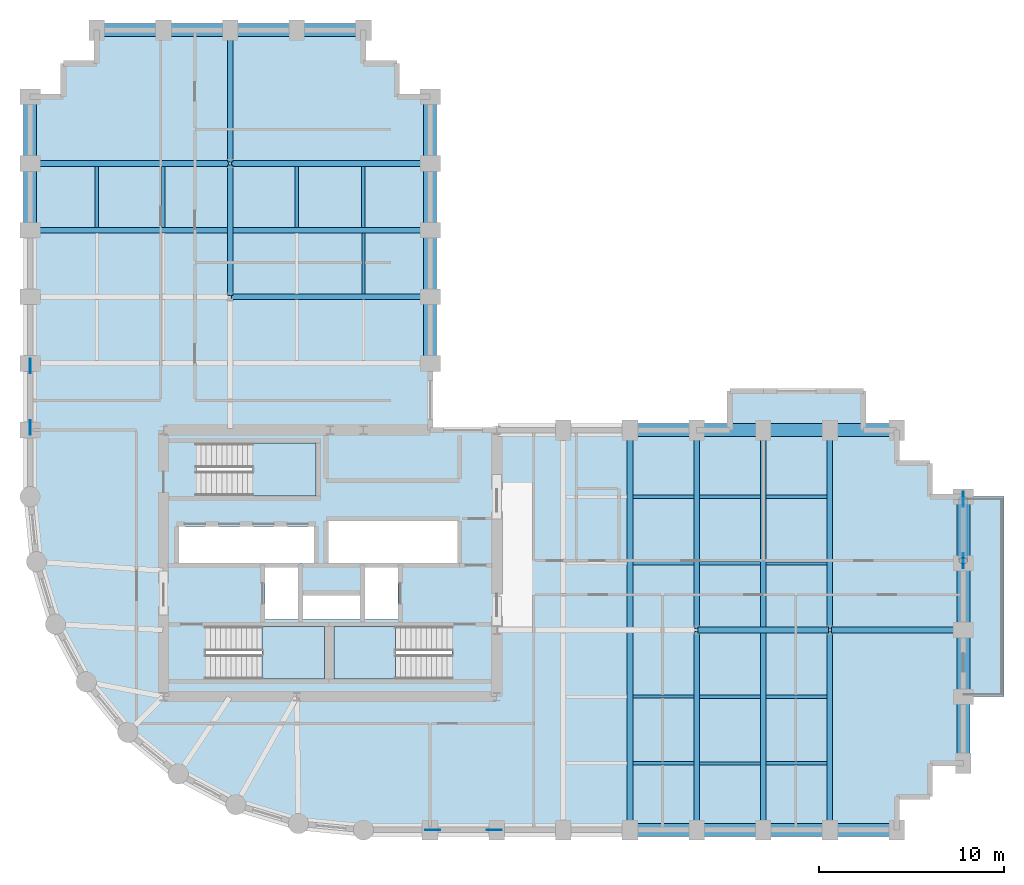
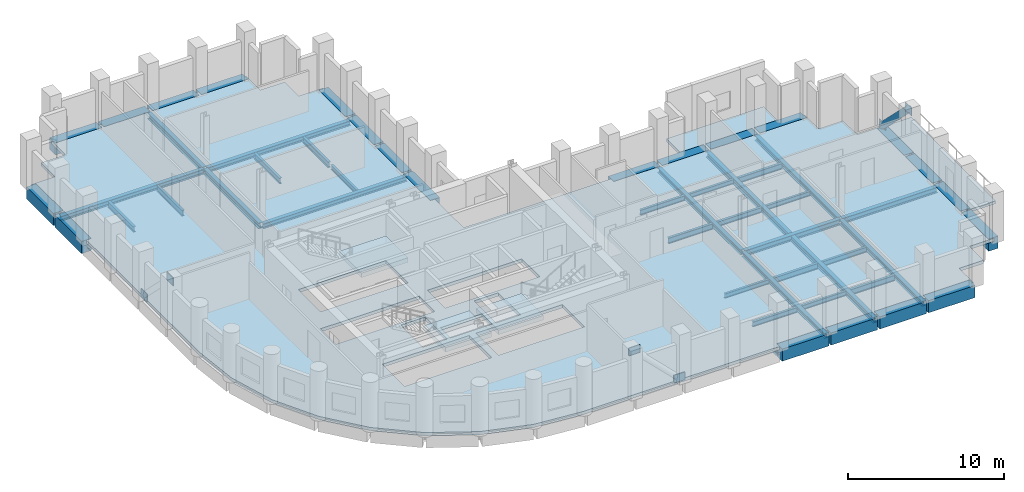
# One storey, part 2 of 8: 53 beams, 6 plates, 5 slabs, 1 member, 3 elements without a shape of their own.
"""IFC4 building model written with IfcOpenShell, lengths in metres."""

from ifc_helpers import new_model, si_unit, direction, frame, origin, origin_2d, place, context, subcontext, project, spatial, polyline, rectangle, hollow_circle, i_section, outline, extrude, material, layer, layer_set, material_profile, profile_set, type_object, element, aggregate, save


model = new_model("IFC4")

# Units and contexts
model_context = context("Model", 3, precision=1e-05, world=origin(), true_north=direction((0.0, 1.0)))
body_context = subcontext(model_context, "Body", "Model", "MODEL_VIEW")
ifc_project = project(units=[si_unit("LENGTHUNIT", "METRE"), si_unit("AREAUNIT", "SQUARE_METRE"), si_unit("VOLUMEUNIT", "CUBIC_METRE"), si_unit("PLANEANGLEUNIT", "RADIAN"), si_unit("MASSUNIT", "GRAM", prefix="KILO")], contexts=[model_context])

# Site, building, storey
site_placement = place(None, origin())
site = spatial("IfcSite", under=ifc_project, at=site_placement, CompositionType="ELEMENT")
building_placement = place(site_placement, origin())
building = spatial("IfcBuilding", under=site, at=building_placement, Name="Solnavia Interchange Tower", CompositionType="ELEMENT")
storey_placement = place(building_placement, frame((0.0, 0.0, 107.39990234375)))
storey = spatial("IfcBuildingStorey", under=building, at=storey_placement, Name="L26", CompositionType="ELEMENT", Elevation=107.39990234375)

# Beams
ifc_material_1 = material(Name="Steel S460", Category="steel")
ifc_material_profile_1 = material_profile(ifc_material_1, i_section(OverallWidth=0.300048828125, OverallDepth=0.449951171875, WebThickness=0.013916015625, FlangeThickness=0.02587890625, FilletRadius=0.027099609375, at=origin_2d()), Name="HEB 450")
ifc_profile_set_1 = profile_set([ifc_material_profile_1], Name="Steel S460")
beam_type_1 = type_object("IfcBeamType", Name="Beam-Girder-HEB450", PredefinedType="BEAM", material=ifc_profile_set_1)
for number, where, z_axis, x_axis, name in (
    (1, (43.280029296875, 14.39990234375, -0.474853515625), (1.0, 0.0, 0.0), (0.0, 1.0, 0.0), "GRD-L26-ES02 East wing spine girder"),
    (2, (50.47998046875, 14.39990234375, -0.474853515625), (1.0, 0.0, 0.0), (0.0, 1.0, 0.0), "GRD-L26-ES03 East wing spine girder"),
    (3, (18.0, 32.47998046875, -0.474853515625), (0.0, 1.0, 0.0), (-1.0, 0.0, 0.0), "GRD-L26-NS12 North wing spine girder"),
    (4, (18.0, 39.679931640625, -0.474853515625), (0.0, 1.0, 0.0), (-1.0, 0.0, 0.0), "GRD-L26-NS13 North wing spine girder"),
):
    element("IfcBeam", number, at=place(storey_placement, frame(where, z_axis=z_axis, x_axis=x_axis)), inside=storey, type_object=beam_type_1, Name=name, PredefinedType="BEAM", context=body_context, shape_type="SweptSolid", body=[
        extrude(i_section(OverallWidth=0.300048828125, OverallDepth=0.449951171875, WebThickness=0.013916015625, FlangeThickness=0.02587890625, FilletRadius=0.027099609375, at=origin_2d()), origin(), (0.0, 0.0, 1.0), 7.0400390625),
    ])
ifc_material_2 = material(Name="Steel S355", Category="steel")
ifc_material_profile_2 = material_profile(ifc_material_2, i_section(OverallWidth=0.169921875, OverallDepth=0.360107421875, WebThickness=0.008056640625, FlangeThickness=0.0126953125, FilletRadius=0.01806640625, at=origin_2d()), Name="IPE 360")
ifc_profile_set_2 = profile_set([ifc_material_profile_2], Name="Steel S355")
beam_type_2 = type_object("IfcBeamType", Name="Beam-Joist-IPE360", PredefinedType="JOIST", material=ifc_profile_set_2)
beam_1_placement = place(storey_placement, frame((43.35009765625, 7.199951171875, -0.429931640625), z_axis=(1.0, 0.0, 0.0), x_axis=(0.0, 1.0, 0.0)))
element("IfcBeam", 5, at=beam_1_placement, inside=storey, type_object=beam_type_2, Name="JST-L26-E03 East wing secondary joist", PredefinedType="JOIST", context=body_context, shape_type="SweptSolid", body=[
    extrude(i_section(OverallWidth=0.169921875, OverallDepth=0.360107421875, WebThickness=0.008056640625, FlangeThickness=0.0126953125, FilletRadius=0.01806640625, at=origin_2d()), origin(), (0.0, 0.0, 1.0), 3.2998046875),
])
for number, where, z_axis, x_axis, name in (
    (6, (39.75, 10.800048828125, -0.429931640625), (1.0, 0.0, 0.0), (0.0, 1.0, 0.0), "JST-L26-E06 East wing secondary joist"),
    (7, (46.949951171875, 18.0, -0.429931640625), (1.0, 0.0, 0.0), (0.0, 1.0, 0.0), "JST-L26-E12 East wing secondary joist"),
):
    element("IfcBeam", number, at=place(storey_placement, frame(where, z_axis=z_axis, x_axis=x_axis)), inside=storey, type_object=beam_type_2, Name=name, PredefinedType="JOIST", context=body_context, shape_type="SweptSolid", body=[
        extrude(i_section(OverallWidth=0.169921875, OverallDepth=0.360107421875, WebThickness=0.008056640625, FlangeThickness=0.0126953125, FilletRadius=0.01806640625, at=origin_2d()), origin(), (0.0, 0.0, 1.0), 3.300048828125),
    ])
beam_2_placement = place(storey_placement, frame((43.35009765625, 21.60009765625, -0.429931640625), z_axis=(1.0, 0.0, 0.0), x_axis=(0.0, 1.0, 0.0)))
element("IfcBeam", 8, at=beam_2_placement, inside=storey, type_object=beam_type_2, Name="JST-L26-E15 East wing secondary joist", PredefinedType="JOIST", context=body_context, shape_type="SweptSolid", body=[
    extrude(i_section(OverallWidth=0.169921875, OverallDepth=0.360107421875, WebThickness=0.008056640625, FlangeThickness=0.0126953125, FilletRadius=0.01806640625, at=origin_2d()), origin(), (0.0, 0.0, 1.0), 3.2998046875),
])
beam_3_placement = place(storey_placement, frame((25.199951171875, 32.550048828125, -0.429931640625), z_axis=(0.0, 1.0, 0.0), x_axis=(-1.0, 0.0, 0.0)))
element("IfcBeam", 9, at=beam_3_placement, inside=storey, type_object=beam_type_2, Name="JST-L26-N27 North wing secondary joist", PredefinedType="JOIST", context=body_context, shape_type="SweptSolid", body=[
    extrude(i_section(OverallWidth=0.169921875, OverallDepth=0.360107421875, WebThickness=0.008056640625, FlangeThickness=0.0126953125, FilletRadius=0.01806640625, at=origin_2d()), origin(), (0.0, 0.0, 1.0), 3.300048828125),
])
ifc_material_profile_3 = material_profile(ifc_material_2, i_section(OverallWidth=0.179931640625, OverallDepth=0.39990234375, WebThickness=0.008544921875, FlangeThickness=0.013427734375, FilletRadius=0.02099609375, at=origin_2d()), Name="IPE 400")
ifc_profile_set_3 = profile_set([ifc_material_profile_3], Name="Steel S355")
beam_type_3 = type_object("IfcBeamType", Name="Beam-Joist-IPE400", PredefinedType="JOIST", material=ifc_profile_set_3)
for number, where, z_axis, x_axis, name in (
    (10, (39.75, 7.199951171875, -0.449951171875), (1.0, 0.0, 0.0), (0.0, 1.0, 0.0), "JST-L26-E02 East wing secondary joist"),
    (11, (46.949951171875, 10.800048828125, -0.449951171875), (1.0, 0.0, 0.0), (0.0, 1.0, 0.0), "JST-L26-E08 East wing secondary joist"),
):
    element("IfcBeam", number, at=place(storey_placement, frame(where, z_axis=z_axis, x_axis=x_axis)), inside=storey, type_object=beam_type_3, Name=name, PredefinedType="JOIST", context=body_context, shape_type="SweptSolid", body=[
        extrude(i_section(OverallWidth=0.179931640625, OverallDepth=0.39990234375, WebThickness=0.008544921875, FlangeThickness=0.013427734375, FilletRadius=0.02099609375, at=origin_2d()), origin(), (0.0, 0.0, 1.0), 3.300048828125),
    ])
beam_4_placement = place(storey_placement, frame((43.35009765625, 18.0, -0.449951171875), z_axis=(1.0, 0.0, 0.0), x_axis=(0.0, 1.0, 0.0)))
element("IfcBeam", 12, at=beam_4_placement, inside=storey, type_object=beam_type_3, Name="JST-L26-E11 East wing secondary joist", PredefinedType="JOIST", context=body_context, shape_type="SweptSolid", body=[
    extrude(i_section(OverallWidth=0.179931640625, OverallDepth=0.39990234375, WebThickness=0.008544921875, FlangeThickness=0.013427734375, FilletRadius=0.02099609375, at=origin_2d()), origin(), (0.0, 0.0, 1.0), 3.2998046875),
])
beam_5_placement = place(storey_placement, frame((39.75, 21.60009765625, -0.449951171875), z_axis=(1.0, 0.0, 0.0), x_axis=(0.0, 1.0, 0.0)))
element("IfcBeam", 13, at=beam_5_placement, inside=storey, type_object=beam_type_3, Name="JST-L26-E14 East wing secondary joist", PredefinedType="JOIST", context=body_context, shape_type="SweptSolid", body=[
    extrude(i_section(OverallWidth=0.179931640625, OverallDepth=0.39990234375, WebThickness=0.008544921875, FlangeThickness=0.013427734375, FilletRadius=0.02099609375, at=origin_2d()), origin(), (0.0, 0.0, 1.0), 3.300048828125),
])
ifc_material_profile_4 = material_profile(ifc_material_2, i_section(OverallWidth=0.18994140625, OverallDepth=0.449951171875, WebThickness=0.009521484375, FlangeThickness=0.0146484375, FilletRadius=0.02099609375, at=origin_2d()), Name="IPE 450")
ifc_profile_set_4 = profile_set([ifc_material_profile_4], Name="Steel S355")
beam_type_4 = type_object("IfcBeamType", Name="Beam-Joist-IPE450", PredefinedType="JOIST", material=ifc_profile_set_4)
beam_6_placement = place(storey_placement, frame((46.949951171875, 7.199951171875, -0.474853515625), z_axis=(1.0, 0.0, 0.0), x_axis=(0.0, 1.0, 0.0)))
element("IfcBeam", 14, at=beam_6_placement, inside=storey, type_object=beam_type_4, Name="JST-L26-E04 East wing secondary joist", PredefinedType="JOIST", context=body_context, shape_type="SweptSolid", body=[
    extrude(i_section(OverallWidth=0.18994140625, OverallDepth=0.449951171875, WebThickness=0.009521484375, FlangeThickness=0.0146484375, FilletRadius=0.02099609375, at=origin_2d()), origin(), (0.0, 0.0, 1.0), 3.300048828125),
])
beam_7_placement = place(storey_placement, frame((43.35009765625, 10.800048828125, -0.474853515625), z_axis=(1.0, 0.0, 0.0), x_axis=(0.0, 1.0, 0.0)))
element("IfcBeam", 15, at=beam_7_placement, inside=storey, type_object=beam_type_4, Name="JST-L26-E07 East wing secondary joist", PredefinedType="JOIST", context=body_context, shape_type="SweptSolid", body=[
    extrude(i_section(OverallWidth=0.18994140625, OverallDepth=0.449951171875, WebThickness=0.009521484375, FlangeThickness=0.0146484375, FilletRadius=0.02099609375, at=origin_2d()), origin(), (0.0, 0.0, 1.0), 3.2998046875),
])
for number, where, z_axis, x_axis, name in (
    (16, (39.75, 18.0, -0.474853515625), (1.0, 0.0, 0.0), (0.0, 1.0, 0.0), "JST-L26-E10 East wing secondary joist"),
    (17, (46.949951171875, 21.60009765625, -0.474853515625), (1.0, 0.0, 0.0), (0.0, 1.0, 0.0), "JST-L26-E16 East wing secondary joist"),
    (18, (10.800048828125, 36.14990234375, -0.474853515625), (0.0, 1.0, 0.0), (-1.0, 0.0, 0.0), "JST-L26-N19 North wing secondary joist"),
    (19, (14.39990234375, 36.14990234375, -0.474853515625), (0.0, 1.0, 0.0), (-1.0, 0.0, 0.0), "JST-L26-N22 North wing secondary joist"),
    (20, (21.60009765625, 36.14990234375, -0.474853515625), (0.0, 1.0, 0.0), (-1.0, 0.0, 0.0), "JST-L26-N25 North wing secondary joist"),
    (21, (25.199951171875, 36.14990234375, -0.474853515625), (0.0, 1.0, 0.0), (-1.0, 0.0, 0.0), "JST-L26-N28 North wing secondary joist"),
):
    element("IfcBeam", number, at=place(storey_placement, frame(where, z_axis=z_axis, x_axis=x_axis)), inside=storey, type_object=beam_type_4, Name=name, PredefinedType="JOIST", context=body_context, shape_type="SweptSolid", body=[
        extrude(i_section(OverallWidth=0.18994140625, OverallDepth=0.449951171875, WebThickness=0.009521484375, FlangeThickness=0.0146484375, FilletRadius=0.02099609375, at=origin_2d()), origin(), (0.0, 0.0, 1.0), 3.300048828125),
    ])
ifc_material_profile_5 = material_profile(ifc_material_2, i_section(OverallWidth=0.300048828125, OverallDepth=0.389892578125, WebThickness=0.010986328125, FlangeThickness=0.01904296875, FilletRadius=0.027099609375, at=origin_2d()), Name="HEA 400")
ifc_profile_set_5 = profile_set([ifc_material_profile_5], Name="Steel S355")
beam_type_5 = type_object("IfcBeamType", Name="Beam-Primary-HEA400", PredefinedType="BEAM", material=ifc_profile_set_5)
for number, where, z_axis, x_axis, name in (
    (22, (43.199951171875, 3.679931640625, -0.44482421875), (0.0, 1.0, 0.0), (-1.0, 0.0, 0.0), "GRD-L26-EW06 East wing primary floor girder"),
    (23, (43.199951171875, 14.47998046875, -0.44482421875), (0.0, 1.0, 0.0), (-1.0, 0.0, 0.0), "GRD-L26-EW07 East wing primary floor girder"),
    (24, (50.39990234375, 3.679931640625, -0.44482421875), (0.0, 1.0, 0.0), (-1.0, 0.0, 0.0), "GRD-L26-EW09 East wing primary floor girder"),
    (25, (50.39990234375, 14.47998046875, -0.44482421875), (0.0, 1.0, 0.0), (-1.0, 0.0, 0.0), "GRD-L26-EW10 East wing primary floor girder"),
):
    element("IfcBeam", number, at=place(storey_placement, frame(where, z_axis=z_axis, x_axis=x_axis)), inside=storey, type_object=beam_type_5, Name=name, PredefinedType="BEAM", context=body_context, shape_type="SweptSolid", body=[
        extrude(i_section(OverallWidth=0.300048828125, OverallDepth=0.389892578125, WebThickness=0.010986328125, FlangeThickness=0.01904296875, FilletRadius=0.027099609375, at=origin_2d()), origin(), (0.0, 0.0, 1.0), 10.64013671875),
    ])
for number, where, z_axis, x_axis, name in (
    (26, (18.080078125, 32.39990234375, -0.44482421875), (1.0, 0.0, 0.0), (0.0, 1.0, 0.0), "GRD-L26-NW16 North wing primary floor girder"),
    (27, (7.280029296875, 39.60009765625, -0.44482421875), (1.0, 0.0, 0.0), (0.0, 1.0, 0.0), "GRD-L26-NW18 North wing primary floor girder"),
    (28, (18.080078125, 39.60009765625, -0.44482421875), (1.0, 0.0, 0.0), (0.0, 1.0, 0.0), "GRD-L26-NW19 North wing primary floor girder"),
):
    element("IfcBeam", number, at=place(storey_placement, frame(where, z_axis=z_axis, x_axis=x_axis)), inside=storey, type_object=beam_type_5, Name=name, PredefinedType="BEAM", context=body_context, shape_type="SweptSolid", body=[
        extrude(i_section(OverallWidth=0.300048828125, OverallDepth=0.389892578125, WebThickness=0.010986328125, FlangeThickness=0.01904296875, FilletRadius=0.027099609375, at=origin_2d()), origin(), (0.0, 0.0, 1.0), 10.639892578125),
    ])
ifc_material_profile_6 = material_profile(ifc_material_2, i_section(OverallWidth=0.300048828125, OverallDepth=0.43994140625, WebThickness=0.011474609375, FlangeThickness=0.02099609375, FilletRadius=0.027099609375, at=origin_2d()), Name="HEA 450")
ifc_profile_set_6 = profile_set([ifc_material_profile_6], Name="Steel S355")
beam_type_6 = type_object("IfcBeamType", Name="Beam-Primary-HEA450", PredefinedType="BEAM", material=ifc_profile_set_6)
for number, where, z_axis, x_axis, name in (
    (29, (39.60009765625, 3.679931640625, -0.469970703125), (0.0, 1.0, 0.0), (-1.0, 0.0, 0.0), "GRD-L26-EW05 East wing primary floor girder"),
    (30, (46.800048828125, 3.679931640625, -0.469970703125), (0.0, 1.0, 0.0), (-1.0, 0.0, 0.0), "GRD-L26-EW08 East wing primary floor girder"),
):
    element("IfcBeam", number, at=place(storey_placement, frame(where, z_axis=z_axis, x_axis=x_axis)), inside=storey, type_object=beam_type_6, Name=name, PredefinedType="BEAM", context=body_context, shape_type="SweptSolid", body=[
        extrude(i_section(OverallWidth=0.300048828125, OverallDepth=0.43994140625, WebThickness=0.011474609375, FlangeThickness=0.02099609375, FilletRadius=0.027099609375, at=origin_2d()), origin(), (0.0, 0.0, 1.0), 21.440185546875),
    ])
beam_8_placement = place(storey_placement, frame((7.280029296875, 36.0, -0.469970703125), z_axis=(1.0, 0.0, 0.0), x_axis=(0.0, 1.0, 0.0)))
element("IfcBeam", 31, at=beam_8_placement, inside=storey, type_object=beam_type_6, Name="GRD-L26-NW17 North wing primary floor girder", PredefinedType="BEAM", context=body_context, shape_type="SweptSolid", body=[
    extrude(i_section(OverallWidth=0.300048828125, OverallDepth=0.43994140625, WebThickness=0.011474609375, FlangeThickness=0.02099609375, FilletRadius=0.027099609375, at=origin_2d()), origin(), (0.0, 0.0, 1.0), 21.43994140625),
])
ifc_material_3 = material(Name="Concrete C50/60", Category="concrete")
ifc_material_profile_7 = material_profile(ifc_material_3, rectangle(XDim=0.699951171875, YDim=0.949951171875, at=origin_2d()), Name="RC 700x950")
ifc_profile_set_7 = profile_set([ifc_material_profile_7], Name="Concrete C50/60")
beam_type_7 = type_object("IfcBeamType", Name="Beam-Spandrel-RC700x950", PredefinedType="SPANDREL", material=ifc_profile_set_7)
beam_9_placement = place(storey_placement, frame((39.679931640625, 3.60009765625, -0.474853515625), z_axis=(1.0, 0.0, 0.0), x_axis=(0.0, 1.0, 0.0)))
element("IfcBeam", 32, at=beam_9_placement, inside=storey, type_object=beam_type_7, Name="SPB-L26-13 Framed-tube perimeter spandrel beam", PredefinedType="SPANDREL", context=body_context, shape_type="SweptSolid", body=[
    extrude(rectangle(XDim=0.699951171875, YDim=0.949951171875, at=origin_2d()), origin(), (0.0, 0.0, 1.0), 3.440185546875),
])
beam_10_placement = place(storey_placement, frame((43.280029296875, 3.60009765625, -0.474853515625), z_axis=(1.0, 0.0, 0.0), x_axis=(0.0, 1.0, 0.0)))
element("IfcBeam", 33, at=beam_10_placement, inside=storey, type_object=beam_type_7, Name="SPB-L26-14 Framed-tube perimeter spandrel beam", PredefinedType="SPANDREL", context=body_context, shape_type="SweptSolid", body=[
    extrude(rectangle(XDim=0.699951171875, YDim=0.949951171875, at=origin_2d()), origin(), (0.0, 0.0, 1.0), 3.43994140625),
])
beam_11_placement = place(storey_placement, frame((46.8798828125, 3.60009765625, -0.474853515625), z_axis=(1.0, 0.0, 0.0), x_axis=(0.0, 1.0, 0.0)))
element("IfcBeam", 34, at=beam_11_placement, inside=storey, type_object=beam_type_7, Name="SPB-L26-15 Framed-tube perimeter spandrel beam", PredefinedType="SPANDREL", context=body_context, shape_type="SweptSolid", body=[
    extrude(rectangle(XDim=0.699951171875, YDim=0.949951171875, at=origin_2d()), origin(), (0.0, 0.0, 1.0), 3.440185546875),
])
for number, where, z_axis, x_axis, name in (
    (35, (50.47998046875, 3.60009765625, -0.474853515625), (1.0, 0.0, 0.0), (0.0, 1.0, 0.0), "SPB-L26-16 Framed-tube perimeter spandrel beam"),
    (36, (57.60009765625, 7.280029296875, -0.474853515625), (0.0, 1.0, 0.0), (-1.0, 0.0, 0.0), "SPB-L26-17 Framed-tube perimeter spandrel beam"),
):
    element("IfcBeam", number, at=place(storey_placement, frame(where, z_axis=z_axis, x_axis=x_axis)), inside=storey, type_object=beam_type_7, Name=name, PredefinedType="SPANDREL", context=body_context, shape_type="SweptSolid", body=[
        extrude(rectangle(XDim=0.699951171875, YDim=0.949951171875, at=origin_2d()), origin(), (0.0, 0.0, 1.0), 3.43994140625),
    ])
beam_12_placement = place(storey_placement, frame((57.60009765625, 10.8798828125, -0.474853515625), z_axis=(0.0, 1.0, 0.0), x_axis=(-1.0, 0.0, 0.0)))
element("IfcBeam", 37, at=beam_12_placement, inside=storey, type_object=beam_type_7, Name="SPB-L26-18 Framed-tube perimeter spandrel beam", PredefinedType="SPANDREL", context=body_context, shape_type="SweptSolid", body=[
    extrude(rectangle(XDim=0.699951171875, YDim=0.949951171875, at=origin_2d()), origin(), (0.0, 0.0, 1.0), 3.440185546875),
])
for number, where, z_axis, x_axis, name in (
    (38, (57.60009765625, 14.47998046875, -0.474853515625), (0.0, 1.0, 0.0), (-1.0, 0.0, 0.0), "SPB-L26-19 Framed-tube perimeter spandrel beam"),
    (39, (57.60009765625, 18.080078125, -0.474853515625), (0.0, 1.0, 0.0), (-1.0, 0.0, 0.0), "SPB-L26-20 Framed-tube perimeter spandrel beam"),
    (40, (53.919921875, 25.199951171875, -0.474853515625), (-1.0, 0.0, 0.0), (0.0, -1.0, 0.0), "SPB-L26-21 Framed-tube perimeter spandrel beam"),
):
    element("IfcBeam", number, at=place(storey_placement, frame(where, z_axis=z_axis, x_axis=x_axis)), inside=storey, type_object=beam_type_7, Name=name, PredefinedType="SPANDREL", context=body_context, shape_type="SweptSolid", body=[
        extrude(rectangle(XDim=0.699951171875, YDim=0.949951171875, at=origin_2d()), origin(), (0.0, 0.0, 1.0), 3.43994140625),
    ])
beam_13_placement = place(storey_placement, frame((50.320068359375, 25.199951171875, -0.474853515625), z_axis=(-1.0, 0.0, 0.0), x_axis=(0.0, -1.0, 0.0)))
element("IfcBeam", 41, at=beam_13_placement, inside=storey, type_object=beam_type_7, Name="SPB-L26-22 Framed-tube perimeter spandrel beam", PredefinedType="SPANDREL", context=body_context, shape_type="SweptSolid", body=[
    extrude(rectangle(XDim=0.699951171875, YDim=0.949951171875, at=origin_2d()), origin(), (0.0, 0.0, 1.0), 3.440185546875),
])
beam_14_placement = place(storey_placement, frame((46.719970703125, 25.199951171875, -0.474853515625), z_axis=(-1.0, 0.0, 0.0), x_axis=(0.0, -1.0, 0.0)))
element("IfcBeam", 42, at=beam_14_placement, inside=storey, type_object=beam_type_7, Name="SPB-L26-23 Framed-tube perimeter spandrel beam", PredefinedType="SPANDREL", context=body_context, shape_type="SweptSolid", body=[
    extrude(rectangle(XDim=0.699951171875, YDim=0.949951171875, at=origin_2d()), origin(), (0.0, 0.0, 1.0), 3.43994140625),
])
for number, where, z_axis, x_axis, name in (
    (43, (43.1201171875, 25.199951171875, -0.474853515625), (-1.0, 0.0, 0.0), (0.0, -1.0, 0.0), "SPB-L26-24 Framed-tube perimeter spandrel beam"),
    (44, (28.800048828125, 28.8798828125, -0.474853515625), (0.0, 1.0, 0.0), (-1.0, 0.0, 0.0), "SPB-L26-27 Framed-tube perimeter spandrel beam"),
):
    element("IfcBeam", number, at=place(storey_placement, frame(where, z_axis=z_axis, x_axis=x_axis)), inside=storey, type_object=beam_type_7, Name=name, PredefinedType="SPANDREL", context=body_context, shape_type="SweptSolid", body=[
        extrude(rectangle(XDim=0.699951171875, YDim=0.949951171875, at=origin_2d()), origin(), (0.0, 0.0, 1.0), 3.440185546875),
    ])
for number, where, z_axis, x_axis, name in (
    (45, (28.800048828125, 32.47998046875, -0.474853515625), (0.0, 1.0, 0.0), (-1.0, 0.0, 0.0), "SPB-L26-28 Framed-tube perimeter spandrel beam"),
    (46, (28.800048828125, 36.080078125, -0.474853515625), (0.0, 1.0, 0.0), (-1.0, 0.0, 0.0), "SPB-L26-29 Framed-tube perimeter spandrel beam"),
):
    element("IfcBeam", number, at=place(storey_placement, frame(where, z_axis=z_axis, x_axis=x_axis)), inside=storey, type_object=beam_type_7, Name=name, PredefinedType="SPANDREL", context=body_context, shape_type="SweptSolid", body=[
        extrude(rectangle(XDim=0.699951171875, YDim=0.949951171875, at=origin_2d()), origin(), (0.0, 0.0, 1.0), 3.43994140625),
    ])
for number, where, z_axis, x_axis, name in (
    (47, (28.800048828125, 39.679931640625, -0.474853515625), (0.0, 1.0, 0.0), (-1.0, 0.0, 0.0), "SPB-L26-30 Framed-tube perimeter spandrel beam"),
    (48, (25.1201171875, 46.800048828125, -0.474853515625), (-1.0, 0.0, 0.0), (0.0, -1.0, 0.0), "SPB-L26-31 Framed-tube perimeter spandrel beam"),
):
    element("IfcBeam", number, at=place(storey_placement, frame(where, z_axis=z_axis, x_axis=x_axis)), inside=storey, type_object=beam_type_7, Name=name, PredefinedType="SPANDREL", context=body_context, shape_type="SweptSolid", body=[
        extrude(rectangle(XDim=0.699951171875, YDim=0.949951171875, at=origin_2d()), origin(), (0.0, 0.0, 1.0), 3.440185546875),
    ])
for number, where, z_axis, x_axis, name in (
    (49, (21.52001953125, 46.800048828125, -0.474853515625), (-1.0, 0.0, 0.0), (0.0, -1.0, 0.0), "SPB-L26-32 Framed-tube perimeter spandrel beam"),
    (50, (17.919921875, 46.800048828125, -0.474853515625), (-1.0, 0.0, 0.0), (0.0, -1.0, 0.0), "SPB-L26-33 Framed-tube perimeter spandrel beam"),
):
    element("IfcBeam", number, at=place(storey_placement, frame(where, z_axis=z_axis, x_axis=x_axis)), inside=storey, type_object=beam_type_7, Name=name, PredefinedType="SPANDREL", context=body_context, shape_type="SweptSolid", body=[
        extrude(rectangle(XDim=0.699951171875, YDim=0.949951171875, at=origin_2d()), origin(), (0.0, 0.0, 1.0), 3.43994140625),
    ])
for number, where, z_axis, x_axis, name in (
    (51, (14.320068359375, 46.800048828125, -0.474853515625), (-1.0, 0.0, 0.0), (0.0, -1.0, 0.0), "SPB-L26-34 Framed-tube perimeter spandrel beam"),
    (52, (7.199951171875, 43.1201171875, -0.474853515625), (0.0, -1.0, 0.0), (1.0, 0.0, 0.0), "SPB-L26-35 Framed-tube perimeter spandrel beam"),
):
    element("IfcBeam", number, at=place(storey_placement, frame(where, z_axis=z_axis, x_axis=x_axis)), inside=storey, type_object=beam_type_7, Name=name, PredefinedType="SPANDREL", context=body_context, shape_type="SweptSolid", body=[
        extrude(rectangle(XDim=0.699951171875, YDim=0.949951171875, at=origin_2d()), origin(), (0.0, 0.0, 1.0), 3.440185546875),
    ])
beam_15_placement = place(storey_placement, frame((7.199951171875, 39.52001953125, -0.474853515625), z_axis=(0.0, -1.0, 0.0), x_axis=(1.0, 0.0, 0.0)))
element("IfcBeam", 53, at=beam_15_placement, inside=storey, type_object=beam_type_7, Name="SPB-L26-36 Framed-tube perimeter spandrel beam", PredefinedType="SPANDREL", context=body_context, shape_type="SweptSolid", body=[
    extrude(rectangle(XDim=0.699951171875, YDim=0.949951171875, at=origin_2d()), origin(), (0.0, 0.0, 1.0), 3.43994140625),
])

# Member
ifc_material_profile_8 = material_profile(ifc_material_1, hollow_circle(Radius=0.25390625, WallThickness=0.02490234375, at=origin_2d()), Name="CHS 508x25")
ifc_profile_set_8 = profile_set([ifc_material_profile_8], Name="Steel S460")
member_type = type_object("IfcMemberType", Name="Brace-Perim-CHS508", PredefinedType="BRACE", material=ifc_profile_set_8)
member_placement = place(storey_placement, frame((57.60009765625, 21.4599609375, 0.18017578125), z_axis=(0.0, -0.710311792477, 0.703887176661), x_axis=(1.0, 0.0, 0.0)))
element("IfcMember", 54, at=member_placement, inside=storey, type_object=member_type, Name="BRC-L26-03 Perimeter tube diagonal brace", PredefinedType="BRACE", context=body_context, shape_type="SweptSolid", body=[
    extrude(hollow_circle(Radius=0.25390625, WallThickness=0.02490234375, at=origin_2d()), origin(), (0.0, 0.0, 1.0), 4.674072265625),
])

# Plates
ifc_layer_1 = layer(ifc_material_1, 0.035888671875)
ifc_layer_set_1 = layer_set([ifc_layer_1], Name="Steel S460")
plate_type = type_object("IfcPlateType", Name="Plate-Gusset-800x600x36", PredefinedType="USERDEFINED", material=ifc_layer_set_1)
for number, where, z_axis, x_axis, name in (
    (55, (32.260009765625, 3.60009765625, -0.119873046875), (0.0, 0.0, 1.0), (-1.0, 0.0, 0.0), "PLT-L26-GP01 Perimeter brace gusset plate"),
    (56, (28.93994140625, 3.60009765625, 3.170166015625), (0.0, 0.0, 1.0), (-1.0, 0.0, 0.0), "PLT-L26-GP02 Perimeter brace gusset plate"),
    (57, (7.199951171875, 28.659912109375, -0.119873046875), (0.0, 0.0, 1.0), (0.0, -1.0, 0.0), "PLT-L26-GP03 Perimeter brace gusset plate"),
    (58, (7.199951171875, 25.340087890625, 3.170166015625), (0.0, 0.0, 1.0), (0.0, -1.0, 0.0), "PLT-L26-GP04 Perimeter brace gusset plate"),
    (59, (57.60009765625, 21.4599609375, -0.119873046875), (0.0, 0.0, 1.0), (0.0, -1.0, 0.0), "PLT-L26-GP05 Perimeter brace gusset plate"),
    (60, (57.60009765625, 18.139892578125, 3.170166015625), (0.0, 0.0, 1.0), (0.0, -1.0, 0.0), "PLT-L26-GP06 Perimeter brace gusset plate"),
):
    element("IfcPlate", number, at=place(storey_placement, frame(where, z_axis=z_axis, x_axis=x_axis)), inside=storey, type_object=plate_type, Name=name, ObjectType="GUSSET PLATE", PredefinedType="USERDEFINED", context=body_context, shape_type="SweptSolid", body=[
        extrude(rectangle(XDim=0.800048828125, YDim=0.035888671875, at=origin_2d()), origin(), (0.0, 0.0, 1.0), 0.60009765625),
    ])

# Stair, slab
ifc_material_4 = material(Name="Concrete C40/50", Category="concrete")
stair_type = type_object("IfcStairType", Name="Stair-Dogleg-RC", PredefinedType="HALF_TURN_STAIR", material=ifc_material_4)
stair_1_placement = place(storey_placement, origin())
stair_1 = element("IfcStair", 61, at=stair_1_placement, inside=storey, type_object=stair_type, Name="L26 Core exit stair 1", PredefinedType="HALF_TURN_STAIR")
ifc_layer_2 = layer(ifc_material_4, 0.35009765625)
ifc_layer_set_2 = layer_set([ifc_layer_2], Name="Concrete C40/50")
slab_type_1 = type_object("IfcSlabType", Name="Slab-StairLanding-350", PredefinedType="LANDING", material=ifc_layer_set_2)
slab_1_placement = place(storey_placement, frame((0.0, 0.0, 1.60009765625)))
slab_1 = element("IfcSlab", 62, at=slab_1_placement, type_object=slab_type_1, Name="ST-1 landing 1", PredefinedType="LANDING", context=body_context, shape_type="SweptSolid", body=[
    extrude(outline(polyline([(19.7080078125, 11.75), (23.10009765625, 11.75), (23.10009765625, 14.590087890625), (19.7080078125, 14.590087890625), (19.7080078125, 11.75)])), origin(), (0.0, 0.0, 1.0), 0.35009765625),
])
aggregate(stair_1, [slab_1])

stair_2_placement = place(storey_placement, origin())
stair_2 = element("IfcStair", 63, at=stair_2_placement, inside=storey, type_object=stair_type, Name="L26 Core exit stair 2", PredefinedType="HALF_TURN_STAIR")
slab_2_placement = place(storey_placement, frame((0.0, 0.0, 1.60009765625)))
slab_2 = element("IfcSlab", 64, at=slab_2_placement, type_object=slab_type_1, Name="ST-2 landing 1", PredefinedType="LANDING", context=body_context, shape_type="SweptSolid", body=[
    extrude(outline(polyline([(23.60009765625, 11.75), (26.94189453125, 11.75), (26.94189453125, 14.590087890625), (23.60009765625, 14.590087890625), (23.60009765625, 11.75)])), origin(), (0.0, 0.0, 1.0), 0.35009765625),
])
aggregate(stair_2, [slab_2])

stair_3_placement = place(storey_placement, origin())
stair_3 = element("IfcStair", 65, at=stair_3_placement, inside=storey, type_object=stair_type, Name="L26 Core exit stair 3", PredefinedType="HALF_TURN_STAIR")
slab_3_placement = place(storey_placement, frame((0.0, 0.0, 1.60009765625)))
slab_3 = element("IfcSlab", 66, at=slab_3_placement, type_object=slab_type_1, Name="ST-3 landing 1", PredefinedType="LANDING", context=body_context, shape_type="SweptSolid", body=[
    extrude(outline(polyline([(19.2080078125, 21.64990234375), (22.64990234375, 21.64990234375), (22.64990234375, 24.489990234375), (19.2080078125, 24.489990234375), (19.2080078125, 21.64990234375)])), origin(), (0.0, 0.0, 1.0), 0.35009765625),
])
aggregate(stair_3, [slab_3])

# Slabs
ifc_layer_3 = layer(ifc_material_4, 0.219970703125)
ifc_layer_set_3 = layer_set([ifc_layer_3], Name="Concrete C40/50")
slab_type_2 = type_object("IfcSlabType", Name="Slab-Terrace-220", PredefinedType="FLOOR", material=ifc_layer_set_3)
slab_4_placement = place(storey_placement, frame((0.0, 0.0, -0.260009765625)))
element("IfcSlab", 67, at=slab_4_placement, inside=storey, type_object=slab_type_2, Name="TER-L26-01 Outdoor spiral terrace slab", PredefinedType="FLOOR", context=body_context, shape_type="SweptSolid", body=[
    extrude(outline(polyline([(57.60009765625, 10.800048828125), (59.800048828125, 10.800048828125), (59.800048828125, 21.60009765625), (57.60009765625, 21.60009765625), (57.60009765625, 10.800048828125)])), origin(), (0.0, 0.0, 1.0), 0.22021484375),
])
ifc_layer_4 = layer(ifc_material_4, 0.25)
ifc_layer_set_4 = layer_set([ifc_layer_4], Name="Concrete C40/50")
slab_type_3 = type_object("IfcSlabType", Name="Slab-Tower-250", PredefinedType="FLOOR", material=ifc_layer_set_4)
slab_5_placement = place(storey_placement, frame((0.0, 0.0, -0.25)))
element("IfcSlab", 68, at=slab_5_placement, inside=storey, type_object=slab_type_3, Name="SLB-L26-01 Structural floor slab", PredefinedType="FLOOR", context=body_context, shape_type="SweptSolid", body=[
    extrude(outline(polyline([(25.199951171875, 3.60009765625), (54.0, 3.60009765625), (54.0, 5.39990234375), (55.800048828125, 5.39990234375), (55.800048828125, 7.199951171875), (57.60009765625, 7.199951171875), (57.60009765625, 21.60009765625), (55.800048828125, 21.60009765625), (55.800048828125, 23.39990234375), (54.0, 23.39990234375), (54.0, 25.199951171875), (52.199951171875, 25.199951171875), (52.199951171875, 27.300048828125), (45.0, 27.300048828125), (45.0, 25.199951171875), (28.800048828125, 25.199951171875), (28.800048828125, 43.199951171875), (27.0, 43.199951171875), (27.0, 45.0), (25.199951171875, 45.0), (25.199951171875, 46.800048828125), (10.800048828125, 46.800048828125), (10.800048828125, 45.0), (9.0, 45.0), (9.0, 43.199951171875), (7.199951171875, 43.199951171875), (7.199951171875, 21.60009765625), (7.5458984375, 18.087890625), (8.570068359375, 14.7119140625), (10.23388671875, 11.60009765625), (12.471923828125, 8.8720703125), (15.199951171875, 6.634033203125), (18.31201171875, 4.969970703125), (21.68798828125, 3.946044921875), (25.199951171875, 3.60009765625)]), holes=[polyline([(16.675048828125, 11.75), (23.10009765625, 11.75), (23.10009765625, 14.590087890625), (16.675048828125, 14.590087890625), (16.675048828125, 11.75)]), polyline([(23.60009765625, 11.75), (29.97509765625, 11.75), (29.97509765625, 14.590087890625), (23.60009765625, 14.590087890625), (23.60009765625, 11.75)]), polyline([(16.175048828125, 21.64990234375), (22.64990234375, 21.64990234375), (22.64990234375, 24.489990234375), (16.175048828125, 24.489990234375), (16.175048828125, 21.64990234375)]), polyline([(19.8798828125, 14.9599609375), (21.679931640625, 14.9599609375), (21.679931640625, 17.780029296875), (19.8798828125, 17.780029296875), (19.8798828125, 14.9599609375)]), polyline([(25.280029296875, 14.9599609375), (27.080078125, 14.9599609375), (27.080078125, 17.780029296875), (25.280029296875, 17.780029296875), (25.280029296875, 14.9599609375)]), polyline([(21.919921875, 14.9599609375), (25.02001953125, 14.9599609375), (25.02001953125, 16.280029296875), (21.919921875, 16.280029296875), (21.919921875, 14.9599609375)]), polyline([(15.219970703125, 18.02001953125), (22.52001953125, 18.02001953125), (22.52001953125, 20.0), (15.219970703125, 20.0), (15.219970703125, 18.02001953125)]), polyline([(23.300048828125, 18.02001953125), (30.280029296875, 18.02001953125), (30.280029296875, 20.300048828125), (23.300048828125, 20.300048828125), (23.300048828125, 18.02001953125)])]), origin(), (0.0, 0.0, 1.0), 0.25),
])

save(model, "model.ifc")
